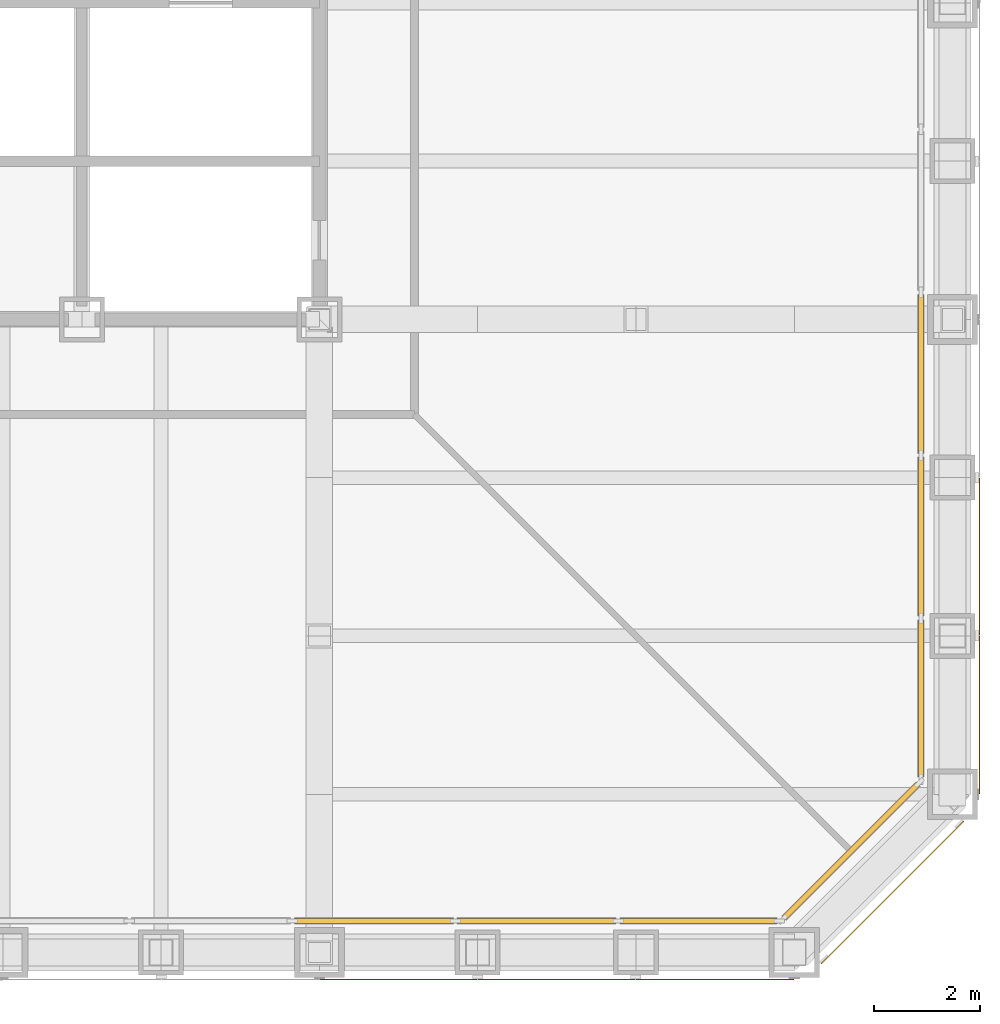
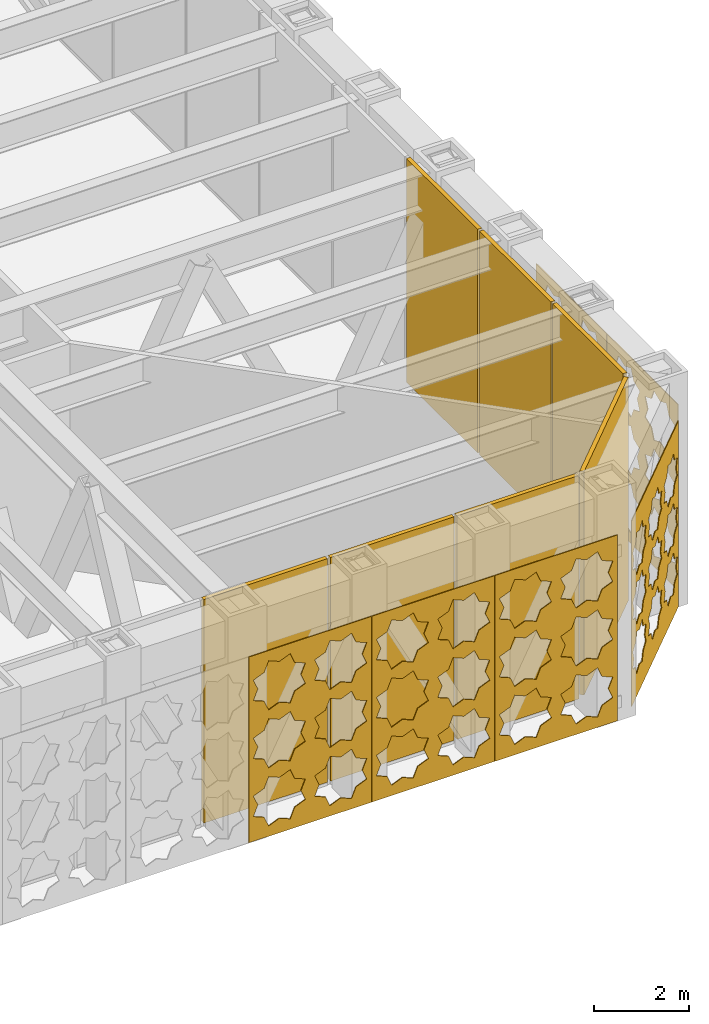
# One storey, part 26 of 31: 7 shading devices, 6 coverings, 3 elements without a shape of their own.
"""IFC4 building model written with IfcOpenShell, lengths in metres."""

import ifcopenshell
import ifcopenshell.guid

model = None  # the IFC model being written
_history = None  # IfcOwnerHistory: only IFC2X3 demands one
_inside = {}  # id of a spatial element -> (the spatial element, [elements in it])
_under = {}  # id of a project, library or spatial element -> (it, [spatial elements below it])
_declared = {}  # id of a project -> (the project, [libraries it declares])
_typed = {}  # id of a type object -> (the type object, [elements of that type])
_made_of = {}  # id of a material, layer set ... -> (it, [elements and type objects made of it])


def new_model(schema):
    """Start an empty IFC model of exactly this schema.

    Asked for "IFC4X3", IfcOpenShell would pick the latest addendum, in which some entities
    have other attributes; the version numbers below select the first issue.
    IFC2X3 requires an IfcOwnerHistory on every rooted entity: one is made here for all.
    """
    global model, _history
    if schema == "IFC4X3":
        model = ifcopenshell.file(schema_version=(4, 3, 0, 0))
    else:
        model = ifcopenshell.file(schema=schema)
    _inside.clear()
    _under.clear()
    _declared.clear()
    _typed.clear()
    _made_of.clear()
    _history = None
    if model.schema == "IFC2X3":
        org = make("IfcOrganization", Name="unknown")
        user = make(
            "IfcPersonAndOrganization",
            ThePerson=make("IfcPerson", FamilyName="unknown"),
            TheOrganization=org,
        )
        app = make(
            "IfcApplication",
            ApplicationDeveloper=org,
            Version="unknown",
            ApplicationFullName="unknown",
            ApplicationIdentifier="unknown",
        )
        _history = make(
            "IfcOwnerHistory",
            OwningUser=user,
            OwningApplication=app,
            ChangeAction="ADDED",
            CreationDate=0,
        )
    return model


def make(cls, **values):
    """One entity of the class cls with the attributes given. An attribute that is None is left unset."""
    return model.create_entity(
        cls, **{name: value for name, value in values.items() if value is not None}
    )


def rooted(cls, **values):
    """An entity with a GlobalId (a new one), such as an element, a storey or a relation."""
    return make(cls, GlobalId=ifcopenshell.guid.new(), OwnerHistory=_history, **values)


def si_unit(unit_type, name, prefix=None):
    """IfcSIUnit, for example si_unit("LENGTHUNIT", "METRE", prefix="MILLI")."""
    return make("IfcSIUnit", UnitType=unit_type, Prefix=prefix, Name=name)


def assignment(units):
    """IfcUnitAssignment: the units of a project."""
    return None if units is None else make("IfcUnitAssignment", Units=units)


def point(xyz):
    """IfcCartesianPoint."""
    return None if xyz is None else make("IfcCartesianPoint", Coordinates=xyz)


def direction(xyz):
    """IfcDirection."""
    return None if xyz is None else make("IfcDirection", DirectionRatios=xyz)


def frame(location, z_axis=None, x_axis=None):
    """IfcAxis2Placement3D, a coordinate frame: its origin and axes. An axis left out is left unset."""
    return make(
        "IfcAxis2Placement3D",
        Location=point(location),
        Axis=direction(z_axis),
        RefDirection=direction(x_axis),
    )


def frame_2d(location, x_axis=None):
    """IfcAxis2Placement2D, a coordinate frame in the plane: its origin and x axis."""
    return make(
        "IfcAxis2Placement2D", Location=point(location), RefDirection=direction(x_axis)
    )


def origin():
    """The frame at (0, 0, 0) with its axes left unset."""
    return frame((0.0, 0.0, 0.0))


def origin_2d():
    """The frame at (0, 0) in the plane with its x axis left unset."""
    return frame_2d((0.0, 0.0))


def place(relative_to, where):
    """IfcLocalPlacement: puts the frame where relative to a parent placement (None: the world)."""
    return make(
        "IfcLocalPlacement", PlacementRelTo=relative_to, RelativePlacement=where
    )


def context(
    kind, dimensions, precision=None, world=None, true_north=None, identifier=None
):
    """IfcGeometricRepresentationContext, for example the 3D "Model" context."""
    return make(
        "IfcGeometricRepresentationContext",
        ContextIdentifier=identifier,
        ContextType=kind,
        CoordinateSpaceDimension=dimensions,
        Precision=precision,
        WorldCoordinateSystem=world,
        TrueNorth=true_north,
    )


def subcontext(parent, identifier, kind, view, scale=None):
    """IfcGeometricRepresentationSubContext, for example "Body" below "Model"."""
    return make(
        "IfcGeometricRepresentationSubContext",
        ContextIdentifier=identifier,
        ContextType=kind,
        ParentContext=parent,
        TargetScale=scale,
        TargetView=view,
    )


def project(units=None, contexts=None):
    """IfcProject with its units and contexts."""
    return rooted(
        "IfcProject",
        Name="project",
        RepresentationContexts=contexts,
        UnitsInContext=assignment(units),
    )


def spatial(cls, under=None, at=None, **own):
    """A site, building, storey or space (cls), placed at a placement, below another one or the project."""
    s = rooted(cls, ObjectPlacement=at, **own)
    if under is not None:
        _under.setdefault(under.id(), (under, []))[1].append(s)
    return s


def polyline(points):
    """IfcPolyline through the points."""
    return make("IfcPolyline", Points=[point(p) for p in points])


def profile(cls, at=None, kind="AREA", **sizes):
    """A parametric profile (cls). Its sizes go by their IFC names, for example OverallWidth=200.0."""
    return make(cls, ProfileType=kind, Position=at, **sizes)


def rectangle(**sizes):
    """IfcRectangleProfileDef."""
    return profile("IfcRectangleProfileDef", **sizes)


def outline(outer, holes=None, kind="AREA"):
    """IfcArbitraryClosedProfileDef: a profile drawn as a closed curve; with holes, ...WithVoids."""
    if holes is None:
        return make("IfcArbitraryClosedProfileDef", ProfileType=kind, OuterCurve=outer)
    return make(
        "IfcArbitraryProfileDefWithVoids",
        ProfileType=kind,
        OuterCurve=outer,
        InnerCurves=holes,
    )


def extrude(swept, where, along, depth):
    """IfcExtrudedAreaSolid: the profile swept, set in the frame where, extruded along a direction by depth."""
    return make(
        "IfcExtrudedAreaSolid",
        SweptArea=swept,
        Position=where,
        ExtrudedDirection=direction(along),
        Depth=depth,
    )


def shape(context_of_items, identifier, shape_type, items):
    """IfcShapeRepresentation: the items that make up one representation, for example the "Body"."""
    return make(
        "IfcShapeRepresentation",
        ContextOfItems=context_of_items,
        RepresentationIdentifier=identifier,
        RepresentationType=shape_type,
        Items=items,
    )


def material(Name=None, Category=None):
    """IfcMaterial."""
    return make("IfcMaterial", Name=Name, Category=Category)


def layer(
    of_material, thickness, ventilated=None, Name=None, Category=None, Priority=None
):
    """IfcMaterialLayer: one layer of a wall or slab, of a material (None: an air gap)."""
    return make(
        "IfcMaterialLayer",
        Material=of_material,
        LayerThickness=thickness,
        IsVentilated=ventilated,
        Name=Name,
        Category=Category,
        Priority=Priority,
    )


def layer_set(layers, Name=None):
    """IfcMaterialLayerSet."""
    return make("IfcMaterialLayerSet", MaterialLayers=layers, LayerSetName=Name)


def made_of(thing, what):
    """Note that an element or type object is made of a material, layer set ...; save() writes the relation."""
    if what is not None:
        _made_of.setdefault(what.id(), (what, []))[1].append(thing)
    return thing


def type_object(cls, material=None, **own):
    """A type object (cls), such as IfcWallType, which elements share."""
    return made_of(rooted(cls, **own), material)


def element(
    cls,
    number,
    at=None,
    inside=None,
    cuts=None,
    type_object=None,
    material=None,
    context=None,
    identifier="Body",
    shape_type=None,
    held_by="IfcProductDefinitionShape",
    body=None,
    shapes=None,
    **own,
):
    """One element of the class cls, such as IfcWall. Its Tag is "e" and its number.

    at: its placement. inside: the storey or other place that contains it. cuts: it is an
    opening in that element (IfcRelVoidsElement). A single representation is given by context,
    identifier, shape_type and body (its items); several are given by shapes. held_by: the class
    of the entity that holds the representations. save() writes the other relations.
    """
    e = rooted(cls, Tag="e%d" % number, ObjectPlacement=at, **own)
    if body is not None:
        shapes = [shape(context, identifier, shape_type, body)]
    if shapes is not None:
        e.Representation = make(held_by, Representations=shapes)
    if inside is not None:
        _inside.setdefault(inside.id(), (inside, []))[1].append(e)
    if cuts is not None:
        rooted(
            "IfcRelVoidsElement", RelatingBuildingElement=cuts, RelatedOpeningElement=e
        )
    if type_object is not None:
        _typed.setdefault(type_object.id(), (type_object, []))[1].append(e)
    return made_of(e, material)


def aggregate(whole, parts):
    """IfcRelAggregates: a whole, such as a stair, and the parts it consists of."""
    return rooted("IfcRelAggregates", RelatingObject=whole, RelatedObjects=parts)


def save(model, path):
    """Write the relations noted so far, then the file.

    IfcRelAggregates (storeys below a building ...), IfcRelContainedInSpatialStructure (elements
    in a storey), IfcRelDefinesByType, IfcRelAssociatesMaterial and IfcRelDeclares: one each for
    every whole, place, type object, material and project.
    """
    for whole, parts in _under.values():
        aggregate(whole, parts)
    for where, things in _inside.values():
        rooted(
            "IfcRelContainedInSpatialStructure",
            RelatedElements=things,
            RelatingStructure=where,
        )
    for kind, things in _typed.values():
        rooted("IfcRelDefinesByType", RelatedObjects=things, RelatingType=kind)
    for what, things in _made_of.values():
        rooted("IfcRelAssociatesMaterial", RelatedObjects=things, RelatingMaterial=what)
    for by, libraries in _declared.values():
        rooted("IfcRelDeclares", RelatingContext=by, RelatedDefinitions=libraries)
    model.write(path)


model = new_model("IFC4")

# Units and contexts
model_context = context("Model", 3, precision=1e-05, world=origin(), true_north=direction((0.0, 1.0)))
body_context = subcontext(model_context, "Body", "Model", "MODEL_VIEW")
ifc_project = project(units=[si_unit("LENGTHUNIT", "METRE"), si_unit("AREAUNIT", "SQUARE_METRE"), si_unit("VOLUMEUNIT", "CUBIC_METRE"), si_unit("PLANEANGLEUNIT", "RADIAN"), si_unit("MASSUNIT", "GRAM", prefix="KILO")], contexts=[model_context])

# Site, building, storey
site_placement = place(None, origin())
site = spatial("IfcSite", under=ifc_project, at=site_placement, CompositionType="ELEMENT")
building_placement = place(site_placement, origin())
building = spatial("IfcBuilding", under=site, at=building_placement, Name="Chuquiago Exchange Tower", CompositionType="ELEMENT")
storey_placement = place(building_placement, frame((0.0, 0.0, 96.300048828125)))
storey = spatial("IfcBuildingStorey", under=building, at=storey_placement, Name="L20", CompositionType="ELEMENT", Elevation=96.300048828125)

# Curtain wall, shading devices
ifc_material_1 = material(Name="Aluminium curtain wall system", Category="aluminium")
ifc_layer_1 = layer(ifc_material_1, 0.199951171875)
ifc_layer_set_1 = layer_set([ifc_layer_1], Name="CW6 plant floor louvre wall")
curtain_wall_type = type_object("IfcCurtainWallType", Name="CW6 plant floor louvre wall", PredefinedType="NOTDEFINED", material=ifc_layer_set_1)
curtain_wall_1_placement = place(storey_placement, origin())
curtain_wall_1 = element("IfcCurtainWall", 1, at=curtain_wall_1_placement, inside=storey, type_object=curtain_wall_type, Name="CW6 curtain wall L20", PredefinedType="NOTDEFINED")
ifc_material_2 = material(Name="Aluminium louvre", Category="aluminium")
ifc_layer_2 = layer(ifc_material_2, 0.10009765625)
ifc_layer_set_2 = layer_set([ifc_layer_2], Name="CW6-P louvre panel 100")
shading_device_type = type_object("IfcShadingDeviceType", Name="CW6-P louvre panel 100", PredefinedType="USERDEFINED", material=ifc_layer_set_2)
shading_device_1_placement = place(storey_placement, frame((34.03125, 0.60009765625, 0.0751953125), z_axis=(0.0, 0.0, 1.0), x_axis=(1.0, 0.0, 0.0)))
shading_device_1 = element("IfcShadingDevice", 2, at=shading_device_1_placement, type_object=shading_device_type, Name="CW6 panel 6.1", ObjectType="LOUVER", PredefinedType="USERDEFINED", context=body_context, shape_type="SweptSolid", body=[
    extrude(rectangle(XDim=3.01318359375, YDim=0.10009765625, at=origin_2d()), origin(), (0.0, 0.0, 1.0), 5.764892578125),
])
shading_device_2_placement = place(storey_placement, frame((37.119384765625, 0.60009765625, 0.0751953125), z_axis=(0.0, 0.0, 1.0), x_axis=(1.0, 0.0, 0.0)))
shading_device_2 = element("IfcShadingDevice", 3, at=shading_device_2_placement, type_object=shading_device_type, Name="CW6 panel 7.1", ObjectType="LOUVER", PredefinedType="USERDEFINED", context=body_context, shape_type="SweptSolid", body=[
    extrude(rectangle(XDim=3.01318359375, YDim=0.10009765625, at=origin_2d()), origin(), (0.0, 0.0, 1.0), 5.764892578125),
])
shading_device_3_placement = place(storey_placement, frame((40.188720703125, 0.60009765625, 0.0751953125), z_axis=(0.0, 0.0, 1.0), x_axis=(1.0, 0.0, 0.0)))
shading_device_3 = element("IfcShadingDevice", 4, at=shading_device_3_placement, type_object=shading_device_type, Name="CW6 panel 8.1", ObjectType="LOUVER", PredefinedType="USERDEFINED", context=body_context, shape_type="SweptSolid", body=[
    extrude(rectangle(XDim=2.9755859375, YDim=0.10009765625, at=origin_2d()), origin(), (0.0, 0.0, 1.0), 5.764892578125),
])
aggregate(curtain_wall_1, [shading_device_1, shading_device_2, shading_device_3])

# Curtain wall, shading device
curtain_wall_2_placement = place(storey_placement, origin())
curtain_wall_2 = element("IfcCurtainWall", 5, at=curtain_wall_2_placement, inside=storey, type_object=curtain_wall_type, Name="CW6 curtain wall L20", PredefinedType="NOTDEFINED")
shading_device_4_placement = place(storey_placement, frame((43.07568359375, 1.92431640625, 0.0751953125), z_axis=(0.0, 0.0, 1.0), x_axis=(0.707106781187, 0.707106781187, 0.0)))
shading_device_4 = element("IfcShadingDevice", 6, at=shading_device_4_placement, type_object=shading_device_type, Name="CW6 panel 1.1", ObjectType="LOUVER", PredefinedType="USERDEFINED", context=body_context, shape_type="SweptSolid", body=[
    extrude(rectangle(XDim=3.595458984375, YDim=0.10009765625, at=origin_2d()), origin(), (0.0, 0.0, 1.0), 5.764892578125),
])
aggregate(curtain_wall_2, [shading_device_4])

# Curtain wall, shading devices
curtain_wall_3_placement = place(storey_placement, origin())
curtain_wall_3 = element("IfcCurtainWall", 7, at=curtain_wall_3_placement, inside=storey, type_object=curtain_wall_type, Name="CW6 curtain wall L20", PredefinedType="NOTDEFINED")
shading_device_5_placement = place(storey_placement, frame((44.39990234375, 4.811279296875, 0.0751953125), z_axis=(0.0, 0.0, 1.0), x_axis=(0.0, 1.0, 0.0)))
shading_device_5 = element("IfcShadingDevice", 8, at=shading_device_5_placement, type_object=shading_device_type, Name="CW6 panel 1.1", ObjectType="LOUVER", PredefinedType="USERDEFINED", context=body_context, shape_type="SweptSolid", body=[
    extrude(rectangle(XDim=2.9755859375, YDim=0.10009765625, at=origin_2d()), origin(), (0.0, 0.0, 1.0), 5.764892578125),
])
shading_device_6_placement = place(storey_placement, frame((44.39990234375, 7.880615234375, 0.0751953125), z_axis=(0.0, 0.0, 1.0), x_axis=(0.0, 1.0, 0.0)))
shading_device_6 = element("IfcShadingDevice", 9, at=shading_device_6_placement, type_object=shading_device_type, Name="CW6 panel 2.1", ObjectType="LOUVER", PredefinedType="USERDEFINED", context=body_context, shape_type="SweptSolid", body=[
    extrude(rectangle(XDim=3.01318359375, YDim=0.10009765625, at=origin_2d()), origin(), (0.0, 0.0, 1.0), 5.764892578125),
])
shading_device_7_placement = place(storey_placement, frame((44.39990234375, 10.96875, 0.0751953125), z_axis=(0.0, 0.0, 1.0), x_axis=(0.0, 1.0, 0.0)))
shading_device_7 = element("IfcShadingDevice", 10, at=shading_device_7_placement, type_object=shading_device_type, Name="CW6 panel 3.1", ObjectType="LOUVER", PredefinedType="USERDEFINED", context=body_context, shape_type="SweptSolid", body=[
    extrude(rectangle(XDim=3.01318359375, YDim=0.10009765625, at=origin_2d()), origin(), (0.0, 0.0, 1.0), 5.764892578125),
])
aggregate(curtain_wall_3, [shading_device_5, shading_device_6, shading_device_7])

# Coverings
ifc_material_3 = material(Name="Anodised aluminium, pale", Category="aluminium")
ifc_layer_3 = layer(ifc_material_3, 0.02001953125)
ifc_layer_set_3 = layer_set([ifc_layer_3], Name="GC1 girih cladding panel 20")
covering_type_1 = type_object("IfcCoveringType", Name="GC1 girih cladding panel 20", PredefinedType="CLADDING", material=ifc_layer_set_3)
covering_1_placement = place(storey_placement, frame((33.0048828125, -0.5, 0.050048828125), z_axis=(0.0, 0.0, 1.0), x_axis=(1.0, 0.0, 0.0)))
element("IfcCovering", 11, at=covering_1_placement, inside=storey, type_object=covering_type_1, Name="Girih cladding panel L20 S 11", PredefinedType="CLADDING", context=body_context, shape_type="SweptSolid", body=[
    extrude(outline(polyline([(0.0, 0.0), (2.989990234375, 0.0), (2.989990234375, 4.789794921875), (0.0, 4.789794921875), (0.0, 0.0)]), holes=[polyline([(1.27392578125, 0.89990234375), (1.3828125, 1.1630859375), (1.11962890625, 1.272216796875), (1.0107421875, 1.535400390625), (0.74755859375, 1.42626953125), (0.484375, 1.535400390625), (0.375244140625, 1.272216796875), (0.112060546875, 1.1630859375), (0.22119140625, 0.89990234375), (0.112060546875, 0.63671875), (0.375244140625, 0.527587890625), (0.484375, 0.264404296875), (0.74755859375, 0.37353515625), (1.0107421875, 0.264404296875), (1.11962890625, 0.527587890625), (1.3828125, 0.63671875), (1.27392578125, 0.89990234375)]), polyline([(2.768798828125, 0.89990234375), (2.8779296875, 1.1630859375), (2.61474609375, 1.272216796875), (2.505615234375, 1.535400390625), (2.242431640625, 1.42626953125), (1.979248046875, 1.535400390625), (1.870361328125, 1.272216796875), (1.607177734375, 1.1630859375), (1.716064453125, 0.89990234375), (1.607177734375, 0.63671875), (1.870361328125, 0.527587890625), (1.979248046875, 0.264404296875), (2.242431640625, 0.37353515625), (2.505615234375, 0.264404296875), (2.61474609375, 0.527587890625), (2.8779296875, 0.63671875), (2.768798828125, 0.89990234375)]), polyline([(1.27392578125, 2.39501953125), (1.3828125, 2.658203125), (1.11962890625, 2.76708984375), (1.0107421875, 3.0302734375), (0.74755859375, 2.92138671875), (0.484375, 3.0302734375), (0.375244140625, 2.76708984375), (0.112060546875, 2.658203125), (0.22119140625, 2.39501953125), (0.112060546875, 2.131591796875), (0.375244140625, 2.022705078125), (0.484375, 1.759521484375), (0.74755859375, 1.868408203125), (1.0107421875, 1.759521484375), (1.11962890625, 2.022705078125), (1.3828125, 2.131591796875), (1.27392578125, 2.39501953125)]), polyline([(2.768798828125, 2.39501953125), (2.8779296875, 2.658203125), (2.61474609375, 2.76708984375), (2.505615234375, 3.0302734375), (2.242431640625, 2.92138671875), (1.979248046875, 3.0302734375), (1.870361328125, 2.76708984375), (1.607177734375, 2.658203125), (1.716064453125, 2.39501953125), (1.607177734375, 2.131591796875), (1.870361328125, 2.022705078125), (1.979248046875, 1.759521484375), (2.242431640625, 1.868408203125), (2.505615234375, 1.759521484375), (2.61474609375, 2.022705078125), (2.8779296875, 2.131591796875), (2.768798828125, 2.39501953125)]), polyline([(1.27392578125, 3.889892578125), (1.3828125, 4.153076171875), (1.11962890625, 4.26220703125), (1.0107421875, 4.525390625), (0.74755859375, 4.416259765625), (0.484375, 4.525390625), (0.375244140625, 4.26220703125), (0.112060546875, 4.153076171875), (0.22119140625, 3.889892578125), (0.112060546875, 3.626708984375), (0.375244140625, 3.517822265625), (0.484375, 3.25439453125), (0.74755859375, 3.363525390625), (1.0107421875, 3.25439453125), (1.11962890625, 3.517822265625), (1.3828125, 3.626708984375), (1.27392578125, 3.889892578125)]), polyline([(2.768798828125, 3.889892578125), (2.8779296875, 4.153076171875), (2.61474609375, 4.26220703125), (2.505615234375, 4.525390625), (2.242431640625, 4.416259765625), (1.979248046875, 4.525390625), (1.870361328125, 4.26220703125), (1.607177734375, 4.153076171875), (1.716064453125, 3.889892578125), (1.607177734375, 3.626708984375), (1.870361328125, 3.517822265625), (1.979248046875, 3.25439453125), (2.242431640625, 3.363525390625), (2.505615234375, 3.25439453125), (2.61474609375, 3.517822265625), (2.8779296875, 3.626708984375), (2.768798828125, 3.889892578125)])]), frame((0.0, 0.0, 0.0), z_axis=(0.0, -1.0, 0.0), x_axis=(1.0, 0.0, 0.0)), (0.0, 0.0, 1.0), 0.02001953125),
])
covering_2_placement = place(storey_placement, frame((36.0048828125, -0.5, 0.050048828125), z_axis=(0.0, 0.0, 1.0), x_axis=(1.0, 0.0, 0.0)))
element("IfcCovering", 12, at=covering_2_placement, inside=storey, type_object=covering_type_1, Name="Girih cladding panel L20 S 12", PredefinedType="CLADDING", context=body_context, shape_type="SweptSolid", body=[
    extrude(outline(polyline([(0.0, 0.0), (2.989990234375, 0.0), (2.989990234375, 4.789794921875), (0.0, 4.789794921875), (0.0, 0.0)]), holes=[polyline([(1.27392578125, 0.89990234375), (1.3828125, 1.1630859375), (1.11962890625, 1.272216796875), (1.0107421875, 1.535400390625), (0.74755859375, 1.42626953125), (0.484375, 1.535400390625), (0.375244140625, 1.272216796875), (0.112060546875, 1.1630859375), (0.22119140625, 0.89990234375), (0.112060546875, 0.63671875), (0.375244140625, 0.527587890625), (0.484375, 0.264404296875), (0.74755859375, 0.37353515625), (1.0107421875, 0.264404296875), (1.11962890625, 0.527587890625), (1.3828125, 0.63671875), (1.27392578125, 0.89990234375)]), polyline([(2.768798828125, 0.89990234375), (2.8779296875, 1.1630859375), (2.61474609375, 1.272216796875), (2.505615234375, 1.535400390625), (2.242431640625, 1.42626953125), (1.979248046875, 1.535400390625), (1.870361328125, 1.272216796875), (1.607177734375, 1.1630859375), (1.716064453125, 0.89990234375), (1.607177734375, 0.63671875), (1.870361328125, 0.527587890625), (1.979248046875, 0.264404296875), (2.242431640625, 0.37353515625), (2.505615234375, 0.264404296875), (2.61474609375, 0.527587890625), (2.8779296875, 0.63671875), (2.768798828125, 0.89990234375)]), polyline([(1.27392578125, 2.39501953125), (1.3828125, 2.658203125), (1.11962890625, 2.76708984375), (1.0107421875, 3.0302734375), (0.74755859375, 2.92138671875), (0.484375, 3.0302734375), (0.375244140625, 2.76708984375), (0.112060546875, 2.658203125), (0.22119140625, 2.39501953125), (0.112060546875, 2.131591796875), (0.375244140625, 2.022705078125), (0.484375, 1.759521484375), (0.74755859375, 1.868408203125), (1.0107421875, 1.759521484375), (1.11962890625, 2.022705078125), (1.3828125, 2.131591796875), (1.27392578125, 2.39501953125)]), polyline([(2.768798828125, 2.39501953125), (2.8779296875, 2.658203125), (2.61474609375, 2.76708984375), (2.505615234375, 3.0302734375), (2.242431640625, 2.92138671875), (1.979248046875, 3.0302734375), (1.870361328125, 2.76708984375), (1.607177734375, 2.658203125), (1.716064453125, 2.39501953125), (1.607177734375, 2.131591796875), (1.870361328125, 2.022705078125), (1.979248046875, 1.759521484375), (2.242431640625, 1.868408203125), (2.505615234375, 1.759521484375), (2.61474609375, 2.022705078125), (2.8779296875, 2.131591796875), (2.768798828125, 2.39501953125)]), polyline([(1.27392578125, 3.889892578125), (1.3828125, 4.153076171875), (1.11962890625, 4.26220703125), (1.0107421875, 4.525390625), (0.74755859375, 4.416259765625), (0.484375, 4.525390625), (0.375244140625, 4.26220703125), (0.112060546875, 4.153076171875), (0.22119140625, 3.889892578125), (0.112060546875, 3.626708984375), (0.375244140625, 3.517822265625), (0.484375, 3.25439453125), (0.74755859375, 3.363525390625), (1.0107421875, 3.25439453125), (1.11962890625, 3.517822265625), (1.3828125, 3.626708984375), (1.27392578125, 3.889892578125)]), polyline([(2.768798828125, 3.889892578125), (2.8779296875, 4.153076171875), (2.61474609375, 4.26220703125), (2.505615234375, 4.525390625), (2.242431640625, 4.416259765625), (1.979248046875, 4.525390625), (1.870361328125, 4.26220703125), (1.607177734375, 4.153076171875), (1.716064453125, 3.889892578125), (1.607177734375, 3.626708984375), (1.870361328125, 3.517822265625), (1.979248046875, 3.25439453125), (2.242431640625, 3.363525390625), (2.505615234375, 3.25439453125), (2.61474609375, 3.517822265625), (2.8779296875, 3.626708984375), (2.768798828125, 3.889892578125)])]), frame((0.0, 0.0, 0.0), z_axis=(0.0, -1.0, 0.0), x_axis=(1.0, 0.0, 0.0)), (0.0, 0.0, 1.0), 0.02001953125),
])
covering_3_placement = place(storey_placement, frame((39.0048828125, -0.5, 0.050048828125), z_axis=(0.0, 0.0, 1.0), x_axis=(1.0, 0.0, 0.0)))
element("IfcCovering", 13, at=covering_3_placement, inside=storey, type_object=covering_type_1, Name="Girih cladding panel L20 S 13", PredefinedType="CLADDING", context=body_context, shape_type="SweptSolid", body=[
    extrude(outline(polyline([(0.0, 0.0), (2.989990234375, 0.0), (2.989990234375, 4.789794921875), (0.0, 4.789794921875), (0.0, 0.0)]), holes=[polyline([(1.27392578125, 0.89990234375), (1.3828125, 1.1630859375), (1.11962890625, 1.272216796875), (1.0107421875, 1.535400390625), (0.74755859375, 1.42626953125), (0.484375, 1.535400390625), (0.375244140625, 1.272216796875), (0.112060546875, 1.1630859375), (0.22119140625, 0.89990234375), (0.112060546875, 0.63671875), (0.375244140625, 0.527587890625), (0.484375, 0.264404296875), (0.74755859375, 0.37353515625), (1.0107421875, 0.264404296875), (1.11962890625, 0.527587890625), (1.3828125, 0.63671875), (1.27392578125, 0.89990234375)]), polyline([(2.768798828125, 0.89990234375), (2.8779296875, 1.1630859375), (2.61474609375, 1.272216796875), (2.505615234375, 1.535400390625), (2.242431640625, 1.42626953125), (1.979248046875, 1.535400390625), (1.870361328125, 1.272216796875), (1.607177734375, 1.1630859375), (1.716064453125, 0.89990234375), (1.607177734375, 0.63671875), (1.870361328125, 0.527587890625), (1.979248046875, 0.264404296875), (2.242431640625, 0.37353515625), (2.505615234375, 0.264404296875), (2.61474609375, 0.527587890625), (2.8779296875, 0.63671875), (2.768798828125, 0.89990234375)]), polyline([(1.27392578125, 2.39501953125), (1.3828125, 2.658203125), (1.11962890625, 2.76708984375), (1.0107421875, 3.0302734375), (0.74755859375, 2.92138671875), (0.484375, 3.0302734375), (0.375244140625, 2.76708984375), (0.112060546875, 2.658203125), (0.22119140625, 2.39501953125), (0.112060546875, 2.131591796875), (0.375244140625, 2.022705078125), (0.484375, 1.759521484375), (0.74755859375, 1.868408203125), (1.0107421875, 1.759521484375), (1.11962890625, 2.022705078125), (1.3828125, 2.131591796875), (1.27392578125, 2.39501953125)]), polyline([(2.768798828125, 2.39501953125), (2.8779296875, 2.658203125), (2.61474609375, 2.76708984375), (2.505615234375, 3.0302734375), (2.242431640625, 2.92138671875), (1.979248046875, 3.0302734375), (1.870361328125, 2.76708984375), (1.607177734375, 2.658203125), (1.716064453125, 2.39501953125), (1.607177734375, 2.131591796875), (1.870361328125, 2.022705078125), (1.979248046875, 1.759521484375), (2.242431640625, 1.868408203125), (2.505615234375, 1.759521484375), (2.61474609375, 2.022705078125), (2.8779296875, 2.131591796875), (2.768798828125, 2.39501953125)]), polyline([(1.27392578125, 3.889892578125), (1.3828125, 4.153076171875), (1.11962890625, 4.26220703125), (1.0107421875, 4.525390625), (0.74755859375, 4.416259765625), (0.484375, 4.525390625), (0.375244140625, 4.26220703125), (0.112060546875, 4.153076171875), (0.22119140625, 3.889892578125), (0.112060546875, 3.626708984375), (0.375244140625, 3.517822265625), (0.484375, 3.25439453125), (0.74755859375, 3.363525390625), (1.0107421875, 3.25439453125), (1.11962890625, 3.517822265625), (1.3828125, 3.626708984375), (1.27392578125, 3.889892578125)]), polyline([(2.768798828125, 3.889892578125), (2.8779296875, 4.153076171875), (2.61474609375, 4.26220703125), (2.505615234375, 4.525390625), (2.242431640625, 4.416259765625), (1.979248046875, 4.525390625), (1.870361328125, 4.26220703125), (1.607177734375, 4.153076171875), (1.716064453125, 3.889892578125), (1.607177734375, 3.626708984375), (1.870361328125, 3.517822265625), (1.979248046875, 3.25439453125), (2.242431640625, 3.363525390625), (2.505615234375, 3.25439453125), (2.61474609375, 3.517822265625), (2.8779296875, 3.626708984375), (2.768798828125, 3.889892578125)])]), frame((0.0, 0.0, 0.0), z_axis=(0.0, -1.0, 0.0), x_axis=(1.0, 0.0, 0.0)), (0.0, 0.0, 1.0), 0.02001953125),
])
covering_4_placement = place(storey_placement, frame((45.5, 3.0048828125, 0.050048828125), z_axis=(0.0, 0.0, 1.0), x_axis=(0.0, 1.0, 0.0)))
element("IfcCovering", 14, at=covering_4_placement, inside=storey, type_object=covering_type_1, Name="Girih cladding panel L20 E 1", PredefinedType="CLADDING", context=body_context, shape_type="SweptSolid", body=[
    extrude(outline(polyline([(0.0, 0.0), (2.989990234375, 0.0), (2.989990234375, 4.789794921875), (0.0, 4.789794921875), (0.0, 0.0)]), holes=[polyline([(1.27392578125, 0.89990234375), (1.3828125, 1.1630859375), (1.11962890625, 1.272216796875), (1.0107421875, 1.535400390625), (0.74755859375, 1.42626953125), (0.484375, 1.535400390625), (0.375244140625, 1.272216796875), (0.112060546875, 1.1630859375), (0.22119140625, 0.89990234375), (0.112060546875, 0.63671875), (0.375244140625, 0.527587890625), (0.484375, 0.264404296875), (0.74755859375, 0.37353515625), (1.0107421875, 0.264404296875), (1.11962890625, 0.527587890625), (1.3828125, 0.63671875), (1.27392578125, 0.89990234375)]), polyline([(2.768798828125, 0.89990234375), (2.8779296875, 1.1630859375), (2.61474609375, 1.272216796875), (2.505615234375, 1.535400390625), (2.242431640625, 1.42626953125), (1.979248046875, 1.535400390625), (1.870361328125, 1.272216796875), (1.607177734375, 1.1630859375), (1.716064453125, 0.89990234375), (1.607177734375, 0.63671875), (1.870361328125, 0.527587890625), (1.979248046875, 0.264404296875), (2.242431640625, 0.37353515625), (2.505615234375, 0.264404296875), (2.61474609375, 0.527587890625), (2.8779296875, 0.63671875), (2.768798828125, 0.89990234375)]), polyline([(1.27392578125, 2.39501953125), (1.3828125, 2.658203125), (1.11962890625, 2.76708984375), (1.0107421875, 3.0302734375), (0.74755859375, 2.92138671875), (0.484375, 3.0302734375), (0.375244140625, 2.76708984375), (0.112060546875, 2.658203125), (0.22119140625, 2.39501953125), (0.112060546875, 2.131591796875), (0.375244140625, 2.022705078125), (0.484375, 1.759521484375), (0.74755859375, 1.868408203125), (1.0107421875, 1.759521484375), (1.11962890625, 2.022705078125), (1.3828125, 2.131591796875), (1.27392578125, 2.39501953125)]), polyline([(2.768798828125, 2.39501953125), (2.8779296875, 2.658203125), (2.61474609375, 2.76708984375), (2.505615234375, 3.0302734375), (2.242431640625, 2.92138671875), (1.979248046875, 3.0302734375), (1.870361328125, 2.76708984375), (1.607177734375, 2.658203125), (1.716064453125, 2.39501953125), (1.607177734375, 2.131591796875), (1.870361328125, 2.022705078125), (1.979248046875, 1.759521484375), (2.242431640625, 1.868408203125), (2.505615234375, 1.759521484375), (2.61474609375, 2.022705078125), (2.8779296875, 2.131591796875), (2.768798828125, 2.39501953125)]), polyline([(1.27392578125, 3.889892578125), (1.3828125, 4.153076171875), (1.11962890625, 4.26220703125), (1.0107421875, 4.525390625), (0.74755859375, 4.416259765625), (0.484375, 4.525390625), (0.375244140625, 4.26220703125), (0.112060546875, 4.153076171875), (0.22119140625, 3.889892578125), (0.112060546875, 3.626708984375), (0.375244140625, 3.517822265625), (0.484375, 3.25439453125), (0.74755859375, 3.363525390625), (1.0107421875, 3.25439453125), (1.11962890625, 3.517822265625), (1.3828125, 3.626708984375), (1.27392578125, 3.889892578125)]), polyline([(2.768798828125, 3.889892578125), (2.8779296875, 4.153076171875), (2.61474609375, 4.26220703125), (2.505615234375, 4.525390625), (2.242431640625, 4.416259765625), (1.979248046875, 4.525390625), (1.870361328125, 4.26220703125), (1.607177734375, 4.153076171875), (1.716064453125, 3.889892578125), (1.607177734375, 3.626708984375), (1.870361328125, 3.517822265625), (1.979248046875, 3.25439453125), (2.242431640625, 3.363525390625), (2.505615234375, 3.25439453125), (2.61474609375, 3.517822265625), (2.8779296875, 3.626708984375), (2.768798828125, 3.889892578125)])]), frame((0.0, 0.0, 0.0), z_axis=(0.0, -1.0, 0.0), x_axis=(1.0, 0.0, 0.0)), (0.0, 0.0, 1.0), 0.02001953125),
])
covering_5_placement = place(storey_placement, frame((45.5, 6.0048828125, 0.050048828125), z_axis=(0.0, 0.0, 1.0), x_axis=(0.0, 1.0, 0.0)))
element("IfcCovering", 15, at=covering_5_placement, inside=storey, type_object=covering_type_1, Name="Girih cladding panel L20 E 2", PredefinedType="CLADDING", context=body_context, shape_type="SweptSolid", body=[
    extrude(outline(polyline([(0.0, 0.0), (2.989990234375, 0.0), (2.989990234375, 4.789794921875), (0.0, 4.789794921875), (0.0, 0.0)]), holes=[polyline([(1.27392578125, 0.89990234375), (1.3828125, 1.1630859375), (1.11962890625, 1.272216796875), (1.0107421875, 1.535400390625), (0.74755859375, 1.42626953125), (0.484375, 1.535400390625), (0.375244140625, 1.272216796875), (0.112060546875, 1.1630859375), (0.22119140625, 0.89990234375), (0.112060546875, 0.63671875), (0.375244140625, 0.527587890625), (0.484375, 0.264404296875), (0.74755859375, 0.37353515625), (1.0107421875, 0.264404296875), (1.11962890625, 0.527587890625), (1.3828125, 0.63671875), (1.27392578125, 0.89990234375)]), polyline([(2.768798828125, 0.89990234375), (2.8779296875, 1.1630859375), (2.61474609375, 1.272216796875), (2.505615234375, 1.535400390625), (2.242431640625, 1.42626953125), (1.979248046875, 1.535400390625), (1.870361328125, 1.272216796875), (1.607177734375, 1.1630859375), (1.716064453125, 0.89990234375), (1.607177734375, 0.63671875), (1.870361328125, 0.527587890625), (1.979248046875, 0.264404296875), (2.242431640625, 0.37353515625), (2.505615234375, 0.264404296875), (2.61474609375, 0.527587890625), (2.8779296875, 0.63671875), (2.768798828125, 0.89990234375)]), polyline([(1.27392578125, 2.39501953125), (1.3828125, 2.658203125), (1.11962890625, 2.76708984375), (1.0107421875, 3.0302734375), (0.74755859375, 2.92138671875), (0.484375, 3.0302734375), (0.375244140625, 2.76708984375), (0.112060546875, 2.658203125), (0.22119140625, 2.39501953125), (0.112060546875, 2.131591796875), (0.375244140625, 2.022705078125), (0.484375, 1.759521484375), (0.74755859375, 1.868408203125), (1.0107421875, 1.759521484375), (1.11962890625, 2.022705078125), (1.3828125, 2.131591796875), (1.27392578125, 2.39501953125)]), polyline([(2.768798828125, 2.39501953125), (2.8779296875, 2.658203125), (2.61474609375, 2.76708984375), (2.505615234375, 3.0302734375), (2.242431640625, 2.92138671875), (1.979248046875, 3.0302734375), (1.870361328125, 2.76708984375), (1.607177734375, 2.658203125), (1.716064453125, 2.39501953125), (1.607177734375, 2.131591796875), (1.870361328125, 2.022705078125), (1.979248046875, 1.759521484375), (2.242431640625, 1.868408203125), (2.505615234375, 1.759521484375), (2.61474609375, 2.022705078125), (2.8779296875, 2.131591796875), (2.768798828125, 2.39501953125)]), polyline([(1.27392578125, 3.889892578125), (1.3828125, 4.153076171875), (1.11962890625, 4.26220703125), (1.0107421875, 4.525390625), (0.74755859375, 4.416259765625), (0.484375, 4.525390625), (0.375244140625, 4.26220703125), (0.112060546875, 4.153076171875), (0.22119140625, 3.889892578125), (0.112060546875, 3.626708984375), (0.375244140625, 3.517822265625), (0.484375, 3.25439453125), (0.74755859375, 3.363525390625), (1.0107421875, 3.25439453125), (1.11962890625, 3.517822265625), (1.3828125, 3.626708984375), (1.27392578125, 3.889892578125)]), polyline([(2.768798828125, 3.889892578125), (2.8779296875, 4.153076171875), (2.61474609375, 4.26220703125), (2.505615234375, 4.525390625), (2.242431640625, 4.416259765625), (1.979248046875, 4.525390625), (1.870361328125, 4.26220703125), (1.607177734375, 4.153076171875), (1.716064453125, 3.889892578125), (1.607177734375, 3.626708984375), (1.870361328125, 3.517822265625), (1.979248046875, 3.25439453125), (2.242431640625, 3.363525390625), (2.505615234375, 3.25439453125), (2.61474609375, 3.517822265625), (2.8779296875, 3.626708984375), (2.768798828125, 3.889892578125)])]), frame((0.0, 0.0, 0.0), z_axis=(0.0, -1.0, 0.0), x_axis=(1.0, 0.0, 0.0)), (0.0, 0.0, 1.0), 0.02001953125),
])
ifc_material_4 = material(Name="Anodised aluminium, pale", Category="aluminium")
ifc_layer_4 = layer(ifc_material_4, 0.02001953125)
ifc_layer_set_4 = layer_set([ifc_layer_4], Name="GC6 girih cladding panel 20")
covering_type_2 = type_object("IfcCoveringType", Name="GC6 girih cladding panel 20", PredefinedType="CLADDING", material=ifc_layer_set_4)
covering_6_placement = place(storey_placement, frame((42.5, -0.20703125, 0.050048828125), z_axis=(0.0, 0.0, 1.0), x_axis=(0.707106781187, 0.707106781187, 0.0)))
element("IfcCovering", 16, at=covering_6_placement, inside=storey, type_object=covering_type_2, Name="Girih cladding panel L20 SE 1", PredefinedType="CLADDING", context=body_context, shape_type="SweptSolid", body=[
    extrude(outline(polyline([(0.0, 0.0), (3.828369140625, 0.0), (3.828369140625, 4.789794921875), (0.0, 4.789794921875), (0.0, 0.0)]), holes=[polyline([(1.08740234375, 1.118896484375), (1.180419921875, 1.343505859375), (0.955810546875, 1.4365234375), (0.86279296875, 1.6611328125), (0.63818359375, 1.568115234375), (0.413330078125, 1.6611328125), (0.3203125, 1.4365234375), (0.095703125, 1.343505859375), (0.188720703125, 1.118896484375), (0.095703125, 0.894287109375), (0.3203125, 0.801025390625), (0.413330078125, 0.576416015625), (0.637939453125, 0.66943359375), (0.86279296875, 0.576416015625), (0.955810546875, 0.801025390625), (1.180419921875, 0.894287109375), (1.08740234375, 1.118896484375)]), polyline([(2.36328125, 1.118896484375), (2.45654296875, 1.343505859375), (2.231689453125, 1.4365234375), (2.138916015625, 1.6611328125), (1.914306640625, 1.568115234375), (1.689453125, 1.6611328125), (1.596435546875, 1.4365234375), (1.371826171875, 1.343505859375), (1.46484375, 1.118896484375), (1.371826171875, 0.894287109375), (1.596435546875, 0.801025390625), (1.689453125, 0.576416015625), (1.914306640625, 0.66943359375), (2.138916015625, 0.576416015625), (2.231689453125, 0.801025390625), (2.45654296875, 0.894287109375), (2.36328125, 1.118896484375)]), polyline([(3.639404296875, 1.118896484375), (3.732666015625, 1.343505859375), (3.5078125, 1.4365234375), (3.414794921875, 1.6611328125), (3.190185546875, 1.568115234375), (2.965576171875, 1.6611328125), (2.87255859375, 1.4365234375), (2.64794921875, 1.343505859375), (2.740966796875, 1.118896484375), (2.64794921875, 0.894287109375), (2.87255859375, 0.801025390625), (2.965576171875, 0.576416015625), (3.190185546875, 0.66943359375), (3.414794921875, 0.576416015625), (3.5078125, 0.801025390625), (3.732666015625, 0.894287109375), (3.639404296875, 1.118896484375)]), polyline([(1.08740234375, 2.39501953125), (1.180419921875, 2.619384765625), (0.955810546875, 2.712646484375), (0.86279296875, 2.937255859375), (0.63818359375, 2.84423828125), (0.413330078125, 2.937255859375), (0.3203125, 2.712646484375), (0.095703125, 2.619384765625), (0.188720703125, 2.39501953125), (0.095703125, 2.17041015625), (0.3203125, 2.0771484375), (0.413330078125, 1.8525390625), (0.637939453125, 1.945556640625), (0.86279296875, 1.8525390625), (0.955810546875, 2.0771484375), (1.180419921875, 2.17041015625), (1.08740234375, 2.39501953125)]), polyline([(2.36328125, 2.39501953125), (2.45654296875, 2.619384765625), (2.231689453125, 2.712646484375), (2.138916015625, 2.937255859375), (1.914306640625, 2.84423828125), (1.689453125, 2.937255859375), (1.596435546875, 2.712646484375), (1.371826171875, 2.619384765625), (1.46484375, 2.39501953125), (1.371826171875, 2.17041015625), (1.596435546875, 2.0771484375), (1.689453125, 1.8525390625), (1.914306640625, 1.945556640625), (2.138916015625, 1.8525390625), (2.231689453125, 2.0771484375), (2.45654296875, 2.17041015625), (2.36328125, 2.39501953125)]), polyline([(3.639404296875, 2.39501953125), (3.732666015625, 2.619384765625), (3.5078125, 2.712646484375), (3.414794921875, 2.937255859375), (3.190185546875, 2.84423828125), (2.965576171875, 2.937255859375), (2.87255859375, 2.712646484375), (2.64794921875, 2.619384765625), (2.740966796875, 2.39501953125), (2.64794921875, 2.17041015625), (2.87255859375, 2.0771484375), (2.965576171875, 1.8525390625), (3.190185546875, 1.945556640625), (3.414794921875, 1.8525390625), (3.5078125, 2.0771484375), (3.732666015625, 2.17041015625), (3.639404296875, 2.39501953125)]), polyline([(1.08740234375, 3.6708984375), (1.180419921875, 3.8955078125), (0.955810546875, 3.98876953125), (0.86279296875, 4.21337890625), (0.63818359375, 4.120361328125), (0.413330078125, 4.21337890625), (0.3203125, 3.98876953125), (0.095703125, 3.8955078125), (0.188720703125, 3.6708984375), (0.095703125, 3.4462890625), (0.3203125, 3.353271484375), (0.413330078125, 3.128662109375), (0.637939453125, 3.2216796875), (0.86279296875, 3.128662109375), (0.955810546875, 3.353271484375), (1.180419921875, 3.4462890625), (1.08740234375, 3.6708984375)]), polyline([(2.36328125, 3.6708984375), (2.45654296875, 3.8955078125), (2.231689453125, 3.98876953125), (2.138916015625, 4.21337890625), (1.914306640625, 4.120361328125), (1.689453125, 4.21337890625), (1.596435546875, 3.98876953125), (1.371826171875, 3.8955078125), (1.46484375, 3.6708984375), (1.371826171875, 3.4462890625), (1.596435546875, 3.353271484375), (1.689453125, 3.128662109375), (1.914306640625, 3.2216796875), (2.138916015625, 3.128662109375), (2.231689453125, 3.353271484375), (2.45654296875, 3.4462890625), (2.36328125, 3.6708984375)]), polyline([(3.639404296875, 3.6708984375), (3.732666015625, 3.8955078125), (3.5078125, 3.98876953125), (3.414794921875, 4.21337890625), (3.190185546875, 4.120361328125), (2.965576171875, 4.21337890625), (2.87255859375, 3.98876953125), (2.64794921875, 3.8955078125), (2.740966796875, 3.6708984375), (2.64794921875, 3.4462890625), (2.87255859375, 3.353271484375), (2.965576171875, 3.128662109375), (3.190185546875, 3.2216796875), (3.414794921875, 3.128662109375), (3.5078125, 3.353271484375), (3.732666015625, 3.4462890625), (3.639404296875, 3.6708984375)])]), frame((0.0, 0.0, 0.0), z_axis=(0.0, -1.0, 0.0), x_axis=(1.0, 0.0, 0.0)), (0.0, 0.0, 1.0), 0.02001953125),
])

save(model, "model.ifc")
